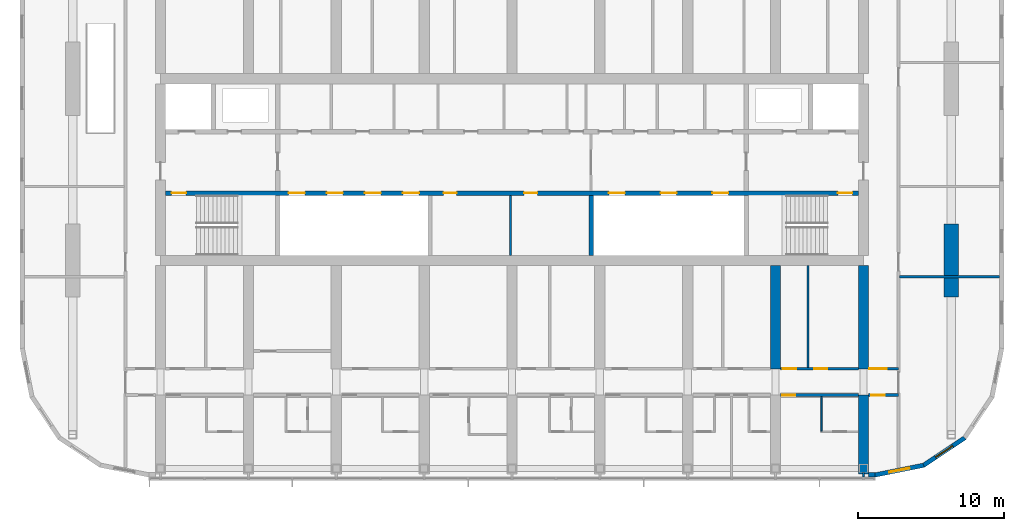
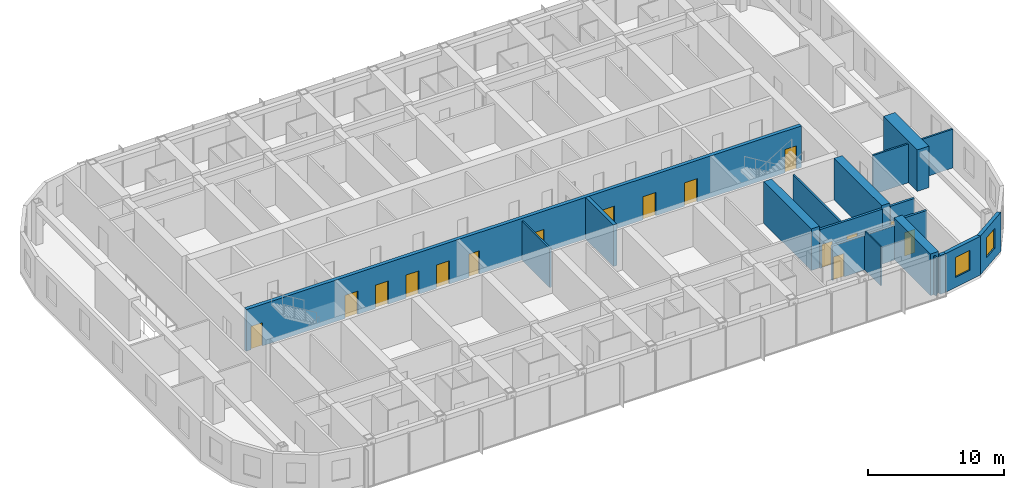
# One storey, part 13 of 23: 18 walls, 16 doors, 2 windows, 18 openings.
"""IFC4 building model written with IfcOpenShell, lengths in metres."""

from ifc_helpers import new_model, si_unit, direction, frame, frame_2d, origin, place, context, subcontext, project, spatial, polyline, rectangle, outline, extrude, material, layer, layer_set, type_object, element, fill, save


model = new_model("IFC4")

# Units and contexts
model_context = context("Model", 3, precision=1e-05, world=origin(), true_north=direction((0.0, 1.0)))
body_context = subcontext(model_context, "Body", "Model", "MODEL_VIEW")
ifc_project = project(units=[si_unit("LENGTHUNIT", "METRE"), si_unit("AREAUNIT", "SQUARE_METRE"), si_unit("VOLUMEUNIT", "CUBIC_METRE"), si_unit("PLANEANGLEUNIT", "RADIAN"), si_unit("MASSUNIT", "GRAM", prefix="KILO")], contexts=[model_context])

# Site, building, storey
site_placement = place(None, origin())
site = spatial("IfcSite", under=ifc_project, at=site_placement, CompositionType="ELEMENT")
building_placement = place(site_placement, origin())
building = spatial("IfcBuilding", under=site, at=building_placement, Name="Orbita Commons", CompositionType="ELEMENT")
storey_placement = place(building_placement, frame((0.0, 0.0, 220.300048828125)))
storey = spatial("IfcBuildingStorey", under=building, at=storey_placement, Name="L54", CompositionType="ELEMENT", Elevation=220.300048828125)

# Wall, openings, doors
ifc_material_1 = material(Name="Concrete C50/60", Category="concrete")
ifc_layer_1 = layer(ifc_material_1, 0.300048828125)
ifc_layer_set_1 = layer_set([ifc_layer_1], Name="Concrete C50/60")
wall_type_1 = type_object("IfcWallType", Name="Core inner wall 300 C50/60", PredefinedType="SHEAR", material=ifc_layer_set_1)
wall_1_placement = place(storey_placement, frame((18.35009765625, 30.39990234375, 0.0), z_axis=(0.0, 0.0, 1.0), x_axis=(1.0, 0.0, 0.0)))
wall_1 = element("IfcWall", 1, at=wall_1_placement, inside=storey, type_object=wall_type_1, Name="Lobby wall south L54", PredefinedType="SHEAR", context=body_context, shape_type="SweptSolid", body=[
    extrude(rectangle(XDim=47.2998046875, YDim=0.300048828125, at=frame_2d((23.64990234375, 0.0))), origin(), (0.0, 0.0, 1.0), 3.75),
])
opening_1_placement = place(wall_1_placement, frame((0.39990234375, 0.0, 0.0)))
opening_1 = element("IfcOpeningElement", 2, at=opening_1_placement, cuts=wall_1, Name="Opening D02", PredefinedType="OPENING", context=body_context, shape_type="SweptSolid", body=[
    extrude(rectangle(XDim=1.0, YDim=2.10009765625, at=frame_2d((0.5, 1.050048828125))), frame((0.0, 0.159912109375, 0.0), z_axis=(0.0, -1.0, 0.0), x_axis=(1.0, 0.0, 0.0)), (0.0, 0.0, 1.0), 0.320068359375),
])
opening_2_placement = place(wall_1_placement, frame((45.89990234375, 0.0, 0.0)))
opening_2 = element("IfcOpeningElement", 3, at=opening_2_placement, cuts=wall_1, Name="Opening D02", PredefinedType="OPENING", context=body_context, shape_type="SweptSolid", body=[
    extrude(rectangle(XDim=1.0, YDim=2.10009765625, at=frame_2d((0.5, 1.050048828125))), frame((0.0, 0.159912109375, 0.0), z_axis=(0.0, -1.0, 0.0), x_axis=(1.0, 0.0, 0.0)), (0.0, 0.0, 1.0), 0.320068359375),
])
opening_3_placement = place(wall_1_placement, frame((8.39990234375, 0.0, 0.0)))
opening_3 = element("IfcOpeningElement", 4, at=opening_3_placement, cuts=wall_1, Name="Opening LD02", PredefinedType="OPENING", context=body_context, shape_type="SweptSolid", body=[
    extrude(rectangle(XDim=1.10009765625, YDim=2.10009765625, at=frame_2d((0.550048828125, 1.050048828125))), frame((0.0, 0.159912109375, 0.0), z_axis=(0.0, -1.0, 0.0), x_axis=(1.0, 0.0, 0.0)), (0.0, 0.0, 1.0), 0.320068359375),
])
opening_4_placement = place(wall_1_placement, frame((11.0, 0.0, 0.0)))
opening_4 = element("IfcOpeningElement", 5, at=opening_4_placement, cuts=wall_1, Name="Opening LD02", PredefinedType="OPENING", context=body_context, shape_type="SweptSolid", body=[
    extrude(rectangle(XDim=1.10009765625, YDim=2.10009765625, at=frame_2d((0.550048828125, 1.050048828125))), frame((0.0, 0.159912109375, 0.0), z_axis=(0.0, -1.0, 0.0), x_axis=(1.0, 0.0, 0.0)), (0.0, 0.0, 1.0), 0.320068359375),
])
opening_5_placement = place(wall_1_placement, frame((13.60009765625, 0.0, 0.0)))
opening_5 = element("IfcOpeningElement", 6, at=opening_5_placement, cuts=wall_1, Name="Opening LD02", PredefinedType="OPENING", context=body_context, shape_type="SweptSolid", body=[
    extrude(rectangle(XDim=1.10009765625, YDim=2.10009765625, at=frame_2d((0.550048828125, 1.050048828125))), frame((0.0, 0.159912109375, 0.0), z_axis=(0.0, -1.0, 0.0), x_axis=(1.0, 0.0, 0.0)), (0.0, 0.0, 1.0), 0.320068359375),
])
opening_6_placement = place(wall_1_placement, frame((16.199951171875, 0.0, 0.0)))
opening_6 = element("IfcOpeningElement", 7, at=opening_6_placement, cuts=wall_1, Name="Opening LD02", PredefinedType="OPENING", context=body_context, shape_type="SweptSolid", body=[
    extrude(rectangle(XDim=1.10009765625, YDim=2.10009765625, at=frame_2d((0.550048828125, 1.050048828125))), frame((0.0, 0.159912109375, 0.0), z_axis=(0.0, -1.0, 0.0), x_axis=(1.0, 0.0, 0.0)), (0.0, 0.0, 1.0), 0.320068359375),
])
opening_7_placement = place(wall_1_placement, frame((18.97509765625, 0.0, 0.0)))
opening_7 = element("IfcOpeningElement", 8, at=opening_7_placement, cuts=wall_1, Name="Opening D05", PredefinedType="OPENING", context=body_context, shape_type="SweptSolid", body=[
    extrude(rectangle(XDim=0.89990234375, YDim=2.10009765625, at=frame_2d((0.449951171875, 1.050048828125))), frame((0.0, 0.159912109375, 0.0), z_axis=(0.0, -1.0, 0.0), x_axis=(1.0, 0.0, 0.0)), (0.0, 0.0, 1.0), 0.320068359375),
])
opening_8_placement = place(wall_1_placement, frame((24.47509765625, 0.0, 0.0)))
opening_8 = element("IfcOpeningElement", 9, at=opening_8_placement, cuts=wall_1, Name="Opening D05", PredefinedType="OPENING", context=body_context, shape_type="SweptSolid", body=[
    extrude(rectangle(XDim=0.89990234375, YDim=2.10009765625, at=frame_2d((0.449951171875, 1.050048828125))), frame((0.0, 0.159912109375, 0.0), z_axis=(0.0, -1.0, 0.0), x_axis=(1.0, 0.0, 0.0)), (0.0, 0.0, 1.0), 0.320068359375),
])
opening_9_placement = place(wall_1_placement, frame((30.2666015625, 0.0, 0.0)))
opening_9 = element("IfcOpeningElement", 10, at=opening_9_placement, cuts=wall_1, Name="Opening LD02", PredefinedType="OPENING", context=body_context, shape_type="SweptSolid", body=[
    extrude(rectangle(XDim=1.10009765625, YDim=2.10009765625, at=frame_2d((0.550048828125, 1.050048828125))), frame((0.0, 0.159912109375, 0.0), z_axis=(0.0, -1.0, 0.0), x_axis=(1.0, 0.0, 0.0)), (0.0, 0.0, 1.0), 0.320068359375),
])
opening_10_placement = place(wall_1_placement, frame((33.800048828125, 0.0, 0.0)))
opening_10 = element("IfcOpeningElement", 11, at=opening_10_placement, cuts=wall_1, Name="Opening LD02", PredefinedType="OPENING", context=body_context, shape_type="SweptSolid", body=[
    extrude(rectangle(XDim=1.10009765625, YDim=2.10009765625, at=frame_2d((0.550048828125, 1.050048828125))), frame((0.0, 0.159912109375, 0.0), z_axis=(0.0, -1.0, 0.0), x_axis=(1.0, 0.0, 0.0)), (0.0, 0.0, 1.0), 0.320068359375),
])
opening_11_placement = place(wall_1_placement, frame((37.333251953125, 0.0, 0.0)))
opening_11 = element("IfcOpeningElement", 12, at=opening_11_placement, cuts=wall_1, Name="Opening LD02", PredefinedType="OPENING", context=body_context, shape_type="SweptSolid", body=[
    extrude(rectangle(XDim=1.10009765625, YDim=2.10009765625, at=frame_2d((0.550048828125, 1.050048828125))), frame((0.0, 0.159912109375, 0.0), z_axis=(0.0, -1.0, 0.0), x_axis=(1.0, 0.0, 0.0)), (0.0, 0.0, 1.0), 0.320068359375),
])
ifc_material_2 = material(Name="Steel-faced fire door leaf", Category="steel")
door_type_1 = type_object("IfcDoorType", Name="Fire door 90 min 1000x2100", OperationType="SINGLE_SWING_LEFT", PredefinedType="DOOR", material=ifc_material_2)
door_1_placement = place(opening_1_placement, origin())
door_1 = element("IfcDoor", 13, at=door_1_placement, inside=storey, type_object=door_type_1, Name="Stair S1 door", OperationType="SINGLE_SWING_LEFT", OverallHeight=2.10009765625, OverallWidth=1.0, PredefinedType="DOOR", context=body_context, shape_type="SweptSolid", body=[
    extrude(rectangle(XDim=1.0, YDim=2.10009765625, at=frame_2d((0.5, 1.050048828125))), frame((0.0, 0.02490234375, 0.0), z_axis=(0.0, -1.0, 0.0), x_axis=(1.0, 0.0, 0.0)), (0.0, 0.0, 1.0), 0.050048828125),
])
fill(opening_1, door_1)
door_2_placement = place(opening_2_placement, origin())
door_2 = element("IfcDoor", 14, at=door_2_placement, inside=storey, type_object=door_type_1, Name="Stair S2 door", OperationType="SINGLE_SWING_LEFT", OverallHeight=2.10009765625, OverallWidth=1.0, PredefinedType="DOOR", context=body_context, shape_type="SweptSolid", body=[
    extrude(rectangle(XDim=1.0, YDim=2.10009765625, at=frame_2d((0.5, 1.050048828125))), frame((0.0, 0.02490234375, 0.0), z_axis=(0.0, -1.0, 0.0), x_axis=(1.0, 0.0, 0.0)), (0.0, 0.0, 1.0), 0.050048828125),
])
fill(opening_2, door_2)
ifc_material_3 = material(Name="Steel-faced fire door leaf", Category="steel")
door_type_2 = type_object("IfcDoorType", Name="Lift landing door 1100x2100", OperationType="DOUBLE_DOOR_SLIDING", PredefinedType="DOOR", material=ifc_material_3)
door_3_placement = place(opening_3_placement, origin())
door_3 = element("IfcDoor", 15, at=door_3_placement, inside=storey, type_object=door_type_2, Name="Lift P41 landing door", OperationType="DOUBLE_DOOR_SLIDING", OverallHeight=2.10009765625, OverallWidth=1.10009765625, PredefinedType="DOOR", context=body_context, shape_type="SweptSolid", body=[
    extrude(rectangle(XDim=1.10009765625, YDim=2.10009765625, at=frame_2d((0.550048828125, 1.050048828125))), frame((0.0, 0.02490234375, 0.0), z_axis=(0.0, -1.0, 0.0), x_axis=(1.0, 0.0, 0.0)), (0.0, 0.0, 1.0), 0.050048828125),
])
fill(opening_3, door_3)
door_4_placement = place(opening_4_placement, origin())
door_4 = element("IfcDoor", 16, at=door_4_placement, inside=storey, type_object=door_type_2, Name="Lift P42 landing door", OperationType="DOUBLE_DOOR_SLIDING", OverallHeight=2.10009765625, OverallWidth=1.10009765625, PredefinedType="DOOR", context=body_context, shape_type="SweptSolid", body=[
    extrude(rectangle(XDim=1.10009765625, YDim=2.10009765625, at=frame_2d((0.550048828125, 1.050048828125))), frame((0.0, 0.02490234375, 0.0), z_axis=(0.0, -1.0, 0.0), x_axis=(1.0, 0.0, 0.0)), (0.0, 0.0, 1.0), 0.050048828125),
])
fill(opening_4, door_4)
door_5_placement = place(opening_5_placement, origin())
door_5 = element("IfcDoor", 17, at=door_5_placement, inside=storey, type_object=door_type_2, Name="Lift P43 landing door", OperationType="DOUBLE_DOOR_SLIDING", OverallHeight=2.10009765625, OverallWidth=1.10009765625, PredefinedType="DOOR", context=body_context, shape_type="SweptSolid", body=[
    extrude(rectangle(XDim=1.10009765625, YDim=2.10009765625, at=frame_2d((0.550048828125, 1.050048828125))), frame((0.0, 0.02490234375, 0.0), z_axis=(0.0, -1.0, 0.0), x_axis=(1.0, 0.0, 0.0)), (0.0, 0.0, 1.0), 0.050048828125),
])
fill(opening_5, door_5)
door_6_placement = place(opening_6_placement, origin())
door_6 = element("IfcDoor", 18, at=door_6_placement, inside=storey, type_object=door_type_2, Name="Lift P44 landing door", OperationType="DOUBLE_DOOR_SLIDING", OverallHeight=2.10009765625, OverallWidth=1.10009765625, PredefinedType="DOOR", context=body_context, shape_type="SweptSolid", body=[
    extrude(rectangle(XDim=1.10009765625, YDim=2.10009765625, at=frame_2d((0.550048828125, 1.050048828125))), frame((0.0, 0.02490234375, 0.0), z_axis=(0.0, -1.0, 0.0), x_axis=(1.0, 0.0, 0.0)), (0.0, 0.0, 1.0), 0.050048828125),
])
fill(opening_6, door_6)
door_7_placement = place(opening_9_placement, origin())
door_7 = element("IfcDoor", 19, at=door_7_placement, inside=storey, type_object=door_type_2, Name="Lift SV1 landing door", OperationType="DOUBLE_DOOR_SLIDING", OverallHeight=2.10009765625, OverallWidth=1.10009765625, PredefinedType="DOOR", context=body_context, shape_type="SweptSolid", body=[
    extrude(rectangle(XDim=1.10009765625, YDim=2.10009765625, at=frame_2d((0.550048828125, 1.050048828125))), frame((0.0, 0.02490234375, 0.0), z_axis=(0.0, -1.0, 0.0), x_axis=(1.0, 0.0, 0.0)), (0.0, 0.0, 1.0), 0.050048828125),
])
fill(opening_9, door_7)
door_8_placement = place(opening_10_placement, origin())
door_8 = element("IfcDoor", 20, at=door_8_placement, inside=storey, type_object=door_type_2, Name="Lift SV2 landing door", OperationType="DOUBLE_DOOR_SLIDING", OverallHeight=2.10009765625, OverallWidth=1.10009765625, PredefinedType="DOOR", context=body_context, shape_type="SweptSolid", body=[
    extrude(rectangle(XDim=1.10009765625, YDim=2.10009765625, at=frame_2d((0.550048828125, 1.050048828125))), frame((0.0, 0.02490234375, 0.0), z_axis=(0.0, -1.0, 0.0), x_axis=(1.0, 0.0, 0.0)), (0.0, 0.0, 1.0), 0.050048828125),
])
fill(opening_10, door_8)
door_9_placement = place(opening_11_placement, origin())
door_9 = element("IfcDoor", 21, at=door_9_placement, inside=storey, type_object=door_type_2, Name="Lift SV3 landing door", OperationType="DOUBLE_DOOR_SLIDING", OverallHeight=2.10009765625, OverallWidth=1.10009765625, PredefinedType="DOOR", context=body_context, shape_type="SweptSolid", body=[
    extrude(rectangle(XDim=1.10009765625, YDim=2.10009765625, at=frame_2d((0.550048828125, 1.050048828125))), frame((0.0, 0.02490234375, 0.0), z_axis=(0.0, -1.0, 0.0), x_axis=(1.0, 0.0, 0.0)), (0.0, 0.0, 1.0), 0.050048828125),
])
fill(opening_11, door_9)
ifc_material_4 = material(Name="Steel-faced fire door leaf", Category="steel")
door_type_3 = type_object("IfcDoorType", Name="Service door 20 min 900x2100", OperationType="SINGLE_SWING_LEFT", PredefinedType="DOOR", material=ifc_material_4)
door_10_placement = place(opening_7_placement, origin())
door_10 = element("IfcDoor", 22, at=door_10_placement, inside=storey, type_object=door_type_3, Name="Telecoms room door", OperationType="SINGLE_SWING_LEFT", OverallHeight=2.10009765625, OverallWidth=0.89990234375, PredefinedType="DOOR", context=body_context, shape_type="SweptSolid", body=[
    extrude(rectangle(XDim=0.89990234375, YDim=2.10009765625, at=frame_2d((0.449951171875, 1.050048828125))), frame((0.0, 0.02490234375, 0.0), z_axis=(0.0, -1.0, 0.0), x_axis=(1.0, 0.0, 0.0)), (0.0, 0.0, 1.0), 0.050048828125),
])
fill(opening_7, door_10)
door_11_placement = place(opening_8_placement, origin())
door_11 = element("IfcDoor", 23, at=door_11_placement, inside=storey, type_object=door_type_3, Name="Mail room door", OperationType="SINGLE_SWING_LEFT", OverallHeight=2.10009765625, OverallWidth=0.89990234375, PredefinedType="DOOR", context=body_context, shape_type="SweptSolid", body=[
    extrude(rectangle(XDim=0.89990234375, YDim=2.10009765625, at=frame_2d((0.449951171875, 1.050048828125))), frame((0.0, 0.02490234375, 0.0), z_axis=(0.0, -1.0, 0.0), x_axis=(1.0, 0.0, 0.0)), (0.0, 0.0, 1.0), 0.050048828125),
])
fill(opening_8, door_11)

# Walls
wall_2_placement = place(storey_placement, frame((47.39990234375, 26.14990234375, 0.0), z_axis=(0.0, 0.0, 1.0), x_axis=(0.0, 1.0, 0.0)))
element("IfcWall", 24, at=wall_2_placement, inside=storey, type_object=wall_type_1, Name="Hoistway division wall L54", PredefinedType="SHEAR", context=body_context, shape_type="SweptSolid", body=[
    extrude(rectangle(XDim=4.10009765625, YDim=0.300048828125, at=frame_2d((2.050048828125, 0.0))), origin(), (0.0, 0.0, 1.0), 3.75),
])
ifc_material_5 = material(Name="Concrete blockwork", Category="masonry")
ifc_layer_2 = layer(ifc_material_5, 0.14990234375)
ifc_layer_set_2 = layer_set([ifc_layer_2], Name="Concrete blockwork")
wall_type_2 = type_object("IfcWallType", Name="Core partition 150 blockwork", PredefinedType="SOLIDWALL", material=ifc_layer_set_2)
wall_3_placement = place(storey_placement, frame((41.89990234375, 26.14990234375, 0.0), z_axis=(0.0, 0.0, 1.0), x_axis=(0.0, 1.0, 0.0)))
element("IfcWall", 25, at=wall_3_placement, inside=storey, type_object=wall_type_2, Name="Core partition 150 blockwork L54", PredefinedType="SOLIDWALL", context=body_context, shape_type="SweptSolid", body=[
    extrude(rectangle(XDim=4.10009765625, YDim=0.14990234375, at=frame_2d((2.050048828125, 0.0))), origin(), (0.0, 0.0, 1.0), 3.5),
])

# Wall, opening, door
ifc_material_6 = material(Name="Concrete blockwork", Category="masonry")
ifc_layer_3 = layer(ifc_material_6, 0.199951171875)
ifc_layer_set_3 = layer_set([ifc_layer_3], Name="Concrete blockwork")
wall_type_3 = type_object("IfcWallType", Name="Corridor wall 200 blockwork", PredefinedType="SOLIDWALL", material=ifc_layer_set_3)
wall_4_placement = place(storey_placement, frame((60.35009765625, 16.60009765625, 0.0), z_axis=(0.0, 0.0, 1.0), x_axis=(1.0, 0.0, 0.0)))
wall_4 = element("IfcWall", 26, at=wall_4_placement, inside=storey, type_object=wall_type_3, Name="Corridor wall 200 blockwork L54", PredefinedType="SOLIDWALL", context=body_context, shape_type="SweptSolid", body=[
    extrude(outline(polyline([(0.0, 0.0), (5.2998046875, 0.0), (5.300048828125, 3.099853515625), (0.0, 3.099853515625), (0.0, 0.0)])), frame((0.0, 0.10009765625, 0.0), z_axis=(0.0, -1.0, 0.0), x_axis=(1.0, 0.0, 0.0)), (0.0, 0.0, 1.0), 0.199951171875),
])
opening_12_placement = place(wall_4_placement, frame((0.10009765625, 0.0, 0.0)))
opening_12 = element("IfcOpeningElement", 27, at=opening_12_placement, cuts=wall_4, Name="Opening D11", PredefinedType="OPENING", context=body_context, shape_type="SweptSolid", body=[
    extrude(rectangle(XDim=0.89990234375, YDim=2.10009765625, at=frame_2d((0.449951171875, 1.050048828125))), frame((0.0, 0.10986328125, 0.0), z_axis=(0.0, -1.0, 0.0), x_axis=(1.0, 0.0, 0.0)), (0.0, 0.0, 1.0), 0.219970703125),
])
ifc_material_7 = material(Name="Steel-faced fire door leaf", Category="steel")
door_type_4 = type_object("IfcDoorType", Name="Corridor door 20 min 900x2100", OperationType="SINGLE_SWING_LEFT", PredefinedType="DOOR", material=ifc_material_7)
door_12_placement = place(opening_12_placement, origin())
door_12 = element("IfcDoor", 28, at=door_12_placement, inside=storey, type_object=door_type_4, Name="Studio apartment with kitchenette L54-S14 door", OperationType="SINGLE_SWING_LEFT", OverallHeight=2.10009765625, OverallWidth=0.89990234375, PredefinedType="DOOR", context=body_context, shape_type="SweptSolid", body=[
    extrude(rectangle(XDim=0.89990234375, YDim=2.10009765625, at=frame_2d((0.449951171875, 1.050048828125))), frame((0.0, 0.02490234375, 0.0), z_axis=(0.0, -1.0, 0.0), x_axis=(1.0, 0.0, 0.0)), (0.0, 0.0, 1.0), 0.050048828125),
])
fill(opening_12, door_12)

wall_5_placement = place(storey_placement, frame((66.35009765625, 16.60009765625, 0.0), z_axis=(0.0, 0.0, 1.0), x_axis=(1.0, 0.0, 0.0)))
wall_5 = element("IfcWall", 29, at=wall_5_placement, inside=storey, type_object=wall_type_3, Name="Corridor wall 200 blockwork L54", PredefinedType="SOLIDWALL", context=body_context, shape_type="SweptSolid", body=[
    extrude(rectangle(XDim=2.0498046875, YDim=0.199951171875, at=frame_2d((1.02490234375, 0.0))), origin(), (0.0, 0.0, 1.0), 3.5),
])
opening_13_placement = place(wall_5_placement, frame((0.199951171875, 0.0, 0.0)))
opening_13 = element("IfcOpeningElement", 30, at=opening_13_placement, cuts=wall_5, Name="Opening D05", PredefinedType="OPENING", context=body_context, shape_type="SweptSolid", body=[
    extrude(rectangle(XDim=0.89990234375, YDim=2.10009765625, at=frame_2d((0.449951171875, 1.050048828125))), frame((0.0, 0.10986328125, 0.0), z_axis=(0.0, -1.0, 0.0), x_axis=(1.0, 0.0, 0.0)), (0.0, 0.0, 1.0), 0.219970703125),
])
door_13_placement = place(opening_13_placement, origin())
door_13 = element("IfcDoor", 31, at=door_13_placement, inside=storey, type_object=door_type_3, Name="Linen store L54-KES door", OperationType="SINGLE_SWING_LEFT", OverallHeight=2.10009765625, OverallWidth=0.89990234375, PredefinedType="DOOR", context=body_context, shape_type="SweptSolid", body=[
    extrude(rectangle(XDim=0.89990234375, YDim=2.10009765625, at=frame_2d((0.449951171875, 1.050048828125))), frame((0.0, 0.02490234375, 0.0), z_axis=(0.0, -1.0, 0.0), x_axis=(1.0, 0.0, 0.0)), (0.0, 0.0, 1.0), 0.050048828125),
])
fill(opening_13, door_13)

# Wall, openings, doors
ifc_material_8 = material(Name="Hollow concrete block 200", Category="concrete")
ifc_layer_4 = layer(ifc_material_8, 0.199951171875)
ifc_layer_set_4 = layer_set([ifc_layer_4], Name="Hollow concrete block 200")
wall_type_4 = type_object("IfcWallType", Name="Corridor wall 200 hollow concrete block", PredefinedType="SOLIDWALL", material=ifc_layer_set_4)
wall_6_placement = place(storey_placement, frame((60.35009765625, 18.39990234375, 0.0), z_axis=(0.0, 0.0, 1.0), x_axis=(1.0, 0.0, 0.0)))
wall_6 = element("IfcWall", 32, at=wall_6_placement, inside=storey, type_object=wall_type_4, Name="Corridor wall 200 hollow concrete block L54", PredefinedType="SOLIDWALL", context=body_context, shape_type="SweptSolid", body=[
    extrude(rectangle(XDim=5.2998046875, YDim=0.199951171875, at=frame_2d((2.64990234375, 0.0))), origin(), (0.0, 0.0, 1.0), 3.5),
])
opening_14_placement = place(wall_6_placement, frame((0.14990234375, 0.0, 0.0)))
opening_14 = element("IfcOpeningElement", 33, at=opening_14_placement, cuts=wall_6, Name="Opening D11", PredefinedType="OPENING", context=body_context, shape_type="SweptSolid", body=[
    extrude(rectangle(XDim=0.89990234375, YDim=2.10009765625, at=frame_2d((0.449951171875, 1.050048828125))), frame((0.0, 0.10986328125, 0.0), z_axis=(0.0, -1.0, 0.0), x_axis=(1.0, 0.0, 0.0)), (0.0, 0.0, 1.0), 0.219970703125),
])
opening_15_placement = place(wall_6_placement, frame((2.2900390625, 0.0, 0.0)))
opening_15 = element("IfcOpeningElement", 34, at=opening_15_placement, cuts=wall_6, Name="Opening D11", PredefinedType="OPENING", context=body_context, shape_type="SweptSolid", body=[
    extrude(rectangle(XDim=0.89990234375, YDim=2.10009765625, at=frame_2d((0.449951171875, 1.050048828125))), frame((0.0, 0.10986328125, 0.0), z_axis=(0.0, -1.0, 0.0), x_axis=(1.0, 0.0, 0.0)), (0.0, 0.0, 1.0), 0.219970703125),
])
door_14_placement = place(opening_14_placement, origin())
door_14 = element("IfcDoor", 35, at=door_14_placement, inside=storey, type_object=door_type_4, Name="Battery and UPS room L54-BDS60n door", OperationType="SINGLE_SWING_LEFT", OverallHeight=2.10009765625, OverallWidth=0.89990234375, PredefinedType="DOOR", context=body_context, shape_type="SweptSolid", body=[
    extrude(rectangle(XDim=0.89990234375, YDim=2.10009765625, at=frame_2d((0.449951171875, 1.050048828125))), frame((0.0, 0.02490234375, 0.0), z_axis=(0.0, -1.0, 0.0), x_axis=(1.0, 0.0, 0.0)), (0.0, 0.0, 1.0), 0.050048828125),
])
fill(opening_14, door_14)
door_15_placement = place(opening_15_placement, origin())
door_15 = element("IfcDoor", 36, at=door_15_placement, inside=storey, type_object=door_type_4, Name="Faculty pantry L54-BDS60 door", OperationType="SINGLE_SWING_LEFT", OverallHeight=2.10009765625, OverallWidth=0.89990234375, PredefinedType="DOOR", context=body_context, shape_type="SweptSolid", body=[
    extrude(rectangle(XDim=0.89990234375, YDim=2.10009765625, at=frame_2d((0.449951171875, 1.050048828125))), frame((0.0, 0.02490234375, 0.0), z_axis=(0.0, -1.0, 0.0), x_axis=(1.0, 0.0, 0.0)), (0.0, 0.0, 1.0), 0.050048828125),
])
fill(opening_15, door_15)

# Wall, opening, door
wall_7_placement = place(storey_placement, frame((66.35009765625, 18.39990234375, 0.0), z_axis=(0.0, 0.0, 1.0), x_axis=(1.0, 0.0, 0.0)))
wall_7 = element("IfcWall", 37, at=wall_7_placement, inside=storey, type_object=wall_type_4, Name="Corridor wall 200 hollow concrete block L54", PredefinedType="SOLIDWALL", context=body_context, shape_type="SweptSolid", body=[
    extrude(rectangle(XDim=2.0498046875, YDim=0.199951171875, at=frame_2d((1.02490234375, 0.0))), origin(), (0.0, 0.0, 1.0), 3.5),
])
opening_16_placement = place(wall_7_placement, frame((0.050048828125, 0.0, 0.0)))
opening_16 = element("IfcOpeningElement", 38, at=opening_16_placement, cuts=wall_7, Name="Opening D12", PredefinedType="OPENING", context=body_context, shape_type="SweptSolid", body=[
    extrude(rectangle(XDim=1.199951171875, YDim=2.10009765625, at=frame_2d((0.60009765625, 1.050048828125))), frame((0.0, 0.10986328125, 0.0), z_axis=(0.0, -1.0, 0.0), x_axis=(1.0, 0.0, 0.0)), (0.0, 0.0, 1.0), 0.219970703125),
])
ifc_material_9 = material(Name="Steel-faced fire door leaf", Category="steel")
door_type_5 = type_object("IfcDoorType", Name="Double corridor door 20 min 1200x2100", OperationType="DOUBLE_DOOR_SINGLE_SWING", PredefinedType="DOOR", material=ifc_material_9)
door_16_placement = place(opening_16_placement, origin())
door_16 = element("IfcDoor", 39, at=door_16_placement, inside=storey, type_object=door_type_5, Name="Cross corridor doors", OperationType="DOUBLE_DOOR_SINGLE_SWING", OverallHeight=2.10009765625, OverallWidth=1.199951171875, PredefinedType="DOOR", context=body_context, shape_type="SweptSolid", body=[
    extrude(rectangle(XDim=1.199951171875, YDim=2.10009765625, at=frame_2d((0.60009765625, 1.050048828125))), frame((0.0, 0.02490234375, 0.0), z_axis=(0.0, -1.0, 0.0), x_axis=(1.0, 0.0, 0.0)), (0.0, 0.0, 1.0), 0.050048828125),
])
fill(opening_16, door_16)

# Walls
ifc_material_10 = material(Name="Concrete C50/60", Category="concrete")
ifc_layer_5 = layer(ifc_material_10, 0.699951171875)
ifc_layer_set_5 = layer_set([ifc_layer_5], Name="Concrete C50/60")
wall_type_5 = type_object("IfcWallType", Name="Cross wall 700 C50/60", PredefinedType="SHEAR", material=ifc_layer_set_5)
wall_8_placement = place(storey_placement, frame((60.0, 18.39990234375, 0.0), z_axis=(0.0, 0.0, 1.0), x_axis=(0.0, 1.0, 0.0)))
element("IfcWall", 40, at=wall_8_placement, inside=storey, type_object=wall_type_5, Name="Cross wall 11 south inner L54", PredefinedType="SHEAR", context=body_context, shape_type="SweptSolid", body=[
    extrude(rectangle(XDim=7.050048828125, YDim=0.699951171875, at=frame_2d((3.52490234375, 0.0))), origin(), (0.0, 0.0, 1.0), 3.75),
])
wall_9_placement = place(storey_placement, frame((66.0, 11.199951171875, 0.0), z_axis=(0.0, 0.0, 1.0), x_axis=(0.0, 1.0, 0.0)))
element("IfcWall", 41, at=wall_9_placement, inside=storey, type_object=wall_type_5, Name="Cross wall 12 south outer L54", PredefinedType="SHEAR", context=body_context, shape_type="SweptSolid", body=[
    extrude(rectangle(XDim=5.400146484375, YDim=0.699951171875, at=frame_2d((2.7001953125, 0.0))), origin(), (0.0, 0.0, 1.0), 3.75),
])
wall_10_placement = place(storey_placement, frame((66.0, 18.39990234375, 0.0), z_axis=(0.0, 0.0, 1.0), x_axis=(0.0, 1.0, 0.0)))
element("IfcWall", 42, at=wall_10_placement, inside=storey, type_object=wall_type_5, Name="Cross wall 12 south inner L54", PredefinedType="SHEAR", context=body_context, shape_type="SweptSolid", body=[
    extrude(rectangle(XDim=7.050048828125, YDim=0.699951171875, at=frame_2d((3.52490234375, 0.0))), origin(), (0.0, 0.0, 1.0), 3.75),
])
ifc_material_11 = material(Name="Moisture-resistant plasterboard on steel studs", Category="steel")
ifc_layer_6 = layer(ifc_material_11, 0.10009765625)
ifc_layer_set_6 = layer_set([ifc_layer_6], Name="Moisture-resistant plasterboard on steel studs")
wall_type_6 = type_object("IfcWallType", Name="En-suite partition 100", PredefinedType="PARTITIONING", material=ifc_layer_set_6)
wall_11_placement = place(storey_placement, frame((63.14990234375, 14.14990234375, 0.0), z_axis=(0.0, 0.0, 1.0), x_axis=(0.0, 1.0, 0.0)))
element("IfcWall", 43, at=wall_11_placement, inside=storey, type_object=wall_type_6, Name="En-suite partition 100 L54", PredefinedType="PARTITIONING", context=body_context, shape_type="SweptSolid", body=[
    extrude(outline(polyline([(0.0, 0.0), (2.35009765625, 0.0), (2.35009765625, 3.099853515625), (2.302001953125, 3.099853515625), (2.300048828125, 3.5), (0.0, 3.5), (0.0, 0.0)])), frame((0.0, 0.050048828125, 0.0), z_axis=(0.0, -1.0, 0.0), x_axis=(1.0, 0.0, 0.0)), (0.0, 0.0, 1.0), 0.10009765625),
])
ifc_material_12 = material(Name="Concrete C50/60", Category="concrete")
ifc_layer_7 = layer(ifc_material_12, 1.0)
ifc_layer_set_7 = layer_set([ifc_layer_7], Name="Concrete C50/60")
wall_type_7 = type_object("IfcWallType", Name="End pier 1000x5000 C50/60", PredefinedType="SHEAR", material=ifc_layer_set_7)
wall_12_placement = place(storey_placement, frame((72.0, 23.300048828125, 0.0), z_axis=(0.0, 0.0, 1.0), x_axis=(0.0, 1.0, 0.0)))
element("IfcWall", 44, at=wall_12_placement, inside=storey, type_object=wall_type_7, Name="End pier 13/C L54", PredefinedType="SHEAR", context=body_context, shape_type="SweptSolid", body=[
    extrude(rectangle(XDim=5.0, YDim=1.0, at=frame_2d((2.5, 0.0))), origin(), (0.0, 0.0, 1.0), 3.75),
])
ifc_material_13 = material(Name="Gypsum plasterboard on steel studs", Category="steel")
ifc_layer_8 = layer(ifc_material_13, 0.14990234375)
ifc_layer_set_8 = layer_set([ifc_layer_8], Name="Gypsum plasterboard on steel studs")
wall_type_8 = type_object("IfcWallType", Name="Partition 150 plasterboard", PredefinedType="PARTITIONING", material=ifc_layer_set_8)
wall_13_placement = place(storey_placement, frame((62.215087890625, 18.5, 0.0), z_axis=(0.0, 0.0, 1.0), x_axis=(0.0, 1.0, 0.0)))
element("IfcWall", 45, at=wall_13_placement, inside=storey, type_object=wall_type_8, Name="Partition 150 plasterboard L54", PredefinedType="PARTITIONING", context=body_context, shape_type="SweptSolid", body=[
    extrude(rectangle(XDim=6.949951171875, YDim=0.14990234375, at=frame_2d((3.47509765625, 0.0))), origin(), (0.0, 0.0, 1.0), 3.5),
])
wall_14_placement = place(storey_placement, frame((68.47509765625, 24.679931640625, 0.0), z_axis=(0.0, 0.0, 1.0), x_axis=(1.0, 0.0, 0.0)))
element("IfcWall", 46, at=wall_14_placement, inside=storey, type_object=wall_type_8, Name="Partition 150 plasterboard L54", PredefinedType="PARTITIONING", context=body_context, shape_type="SweptSolid", body=[
    extrude(rectangle(XDim=6.81982421875, YDim=0.14990234375, at=frame_2d((3.409912109375, 0.0))), origin(), (0.0, 0.0, 1.0), 3.5),
])
wall_15_placement = place(storey_placement, frame((66.0, 11.300048828125, 0.0), z_axis=(0.0, 0.0, 1.0), x_axis=(0.0, -1.0, 0.0)))
element("IfcWall", 47, at=wall_15_placement, inside=storey, type_object=wall_type_8, Name="Partition 150 plasterboard L54", PredefinedType="PARTITIONING", context=body_context, shape_type="SweptSolid", body=[
    extrude(rectangle(XDim=0.2900390625, YDim=0.14990234375, at=frame_2d((0.14501953125, 0.0))), origin(), (0.0, 0.0, 1.0), 3.5),
])

# Wall, opening, window
ifc_material_14 = material(Name="Precast concrete C40/50, white board-marked finish", Category="concrete")
ifc_layer_9 = layer(ifc_material_14, 0.300048828125)
ifc_layer_set_9 = layer_set([ifc_layer_9], Name="Precast concrete C40/50, white board-marked finish")
wall_type_9 = type_object("IfcWallType", Name="Precast concrete end shield 300", PredefinedType="SOLIDWALL", material=ifc_layer_set_9)
wall_16_placement = place(storey_placement, frame((66.800048828125, 11.14990234375, 0.0), z_axis=(0.0, 0.0, 1.0), x_axis=(0.98078325777, 0.195100490205, 0.0)))
wall_16 = element("IfcWall", 48, at=wall_16_placement, inside=storey, type_object=wall_type_9, Name="End shield SE chord 1 L54", PredefinedType="SOLIDWALL", context=body_context, shape_type="SweptSolid", body=[
    extrude(outline(polyline([(-0.02978515625, -0.14990234375), (3.40478515625, -0.14990234375), (3.34521484375, 0.14990234375), (0.02978515625, 0.14990234375), (-0.02978515625, -0.14990234375)])), origin(), (0.0, 0.0, 1.0), 3.5),
])
opening_17_placement = place(wall_16_placement, frame((0.987548828125, 0.0, 0.89990234375)))
opening_17 = element("IfcOpeningElement", 49, at=opening_17_placement, cuts=wall_16, Name="Opening W02", PredefinedType="OPENING", context=body_context, shape_type="SweptSolid", body=[
    extrude(rectangle(XDim=1.39990234375, YDim=1.800048828125, at=frame_2d((0.699951171875, 0.89990234375))), frame((0.0, 0.159912109375, 0.0), z_axis=(0.0, -1.0, 0.0), x_axis=(1.0, 0.0, 0.0)), (0.0, 0.0, 1.0), 0.320068359375),
])
ifc_material_15 = material(Name="Aluminium frame, clear double glazing", Category="aluminium")
window_type = type_object("IfcWindowType", Name="Deep-set window 1400x1800", PartitioningType="SINGLE_PANEL", PredefinedType="WINDOW", material=ifc_material_15)
window_1_placement = place(opening_17_placement, origin())
window_1 = element("IfcWindow", 50, at=window_1_placement, inside=storey, type_object=window_type, Name="Window L54-SE0", OverallHeight=1.800048828125, OverallWidth=1.39990234375, PartitioningType="SINGLE_PANEL", PredefinedType="WINDOW", context=body_context, shape_type="SweptSolid", body=[
    extrude(rectangle(XDim=1.39990234375, YDim=1.800048828125, at=frame_2d((0.699951171875, 0.89990234375))), frame((0.0, 0.030029296875, 0.0), z_axis=(0.0, -1.0, 0.0), x_axis=(1.0, 0.0, 0.0)), (0.0, 0.0, 1.0), 0.06005859375),
])
fill(opening_17, window_1)

wall_17_placement = place(storey_placement, frame((70.110107421875, 11.808349609375, 0.0), z_axis=(0.0, 0.0, 1.0), x_axis=(0.831460037396, 0.555584562613, 0.0)))
wall_17 = element("IfcWall", 51, at=wall_17_placement, inside=storey, type_object=wall_type_9, Name="End shield SE chord 2 L54", PredefinedType="SOLIDWALL", context=body_context, shape_type="SweptSolid", body=[
    extrude(outline(polyline([(-0.02978515625, -0.14990234375), (3.405029296875, -0.14990234375), (3.345458984375, 0.14990234375), (0.02978515625, 0.14990234375), (-0.02978515625, -0.14990234375)])), origin(), (0.0, 0.0, 1.0), 3.5),
])
opening_18_placement = place(wall_17_placement, frame((0.987548828125, 0.0, 0.89990234375)))
opening_18 = element("IfcOpeningElement", 52, at=opening_18_placement, cuts=wall_17, Name="Opening W02", PredefinedType="OPENING", context=body_context, shape_type="SweptSolid", body=[
    extrude(rectangle(XDim=1.39990234375, YDim=1.800048828125, at=frame_2d((0.699951171875, 0.89990234375))), frame((0.0, 0.159912109375, 0.0), z_axis=(0.0, -1.0, 0.0), x_axis=(1.0, 0.0, 0.0)), (0.0, 0.0, 1.0), 0.320068359375),
])
window_2_placement = place(opening_18_placement, origin())
window_2 = element("IfcWindow", 53, at=window_2_placement, inside=storey, type_object=window_type, Name="Window L54-SE1", OverallHeight=1.800048828125, OverallWidth=1.39990234375, PartitioningType="SINGLE_PANEL", PredefinedType="WINDOW", context=body_context, shape_type="SweptSolid", body=[
    extrude(rectangle(XDim=1.39990234375, YDim=1.800048828125, at=frame_2d((0.699951171875, 0.89990234375))), frame((0.0, 0.030029296875, 0.0), z_axis=(0.0, -1.0, 0.0), x_axis=(1.0, 0.0, 0.0)), (0.0, 0.0, 1.0), 0.06005859375),
])
fill(opening_18, window_2)

# Wall
wall_18_placement = place(storey_placement, frame((66.800048828125, 11.14990234375, 0.0), z_axis=(0.0, 0.0, 1.0), x_axis=(-1.0, 0.0, 0.0)))
element("IfcWall", 54, at=wall_18_placement, inside=storey, type_object=wall_type_9, Name="End shield SE closer L54", PredefinedType="SOLIDWALL", context=body_context, shape_type="SweptSolid", body=[
    extrude(rectangle(XDim=0.449951171875, YDim=0.300048828125, at=frame_2d((0.22509765625, 0.0))), origin(), (0.0, 0.0, 1.0), 3.5),
])

save(model, "model.ifc")
